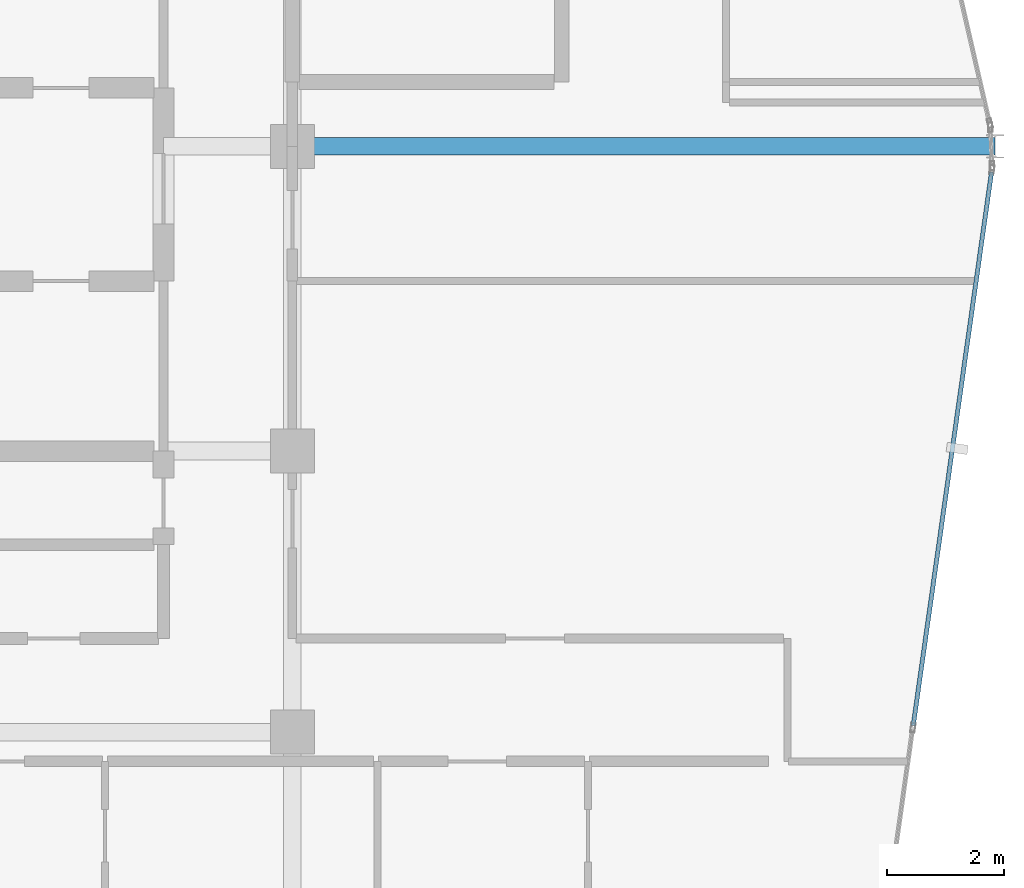
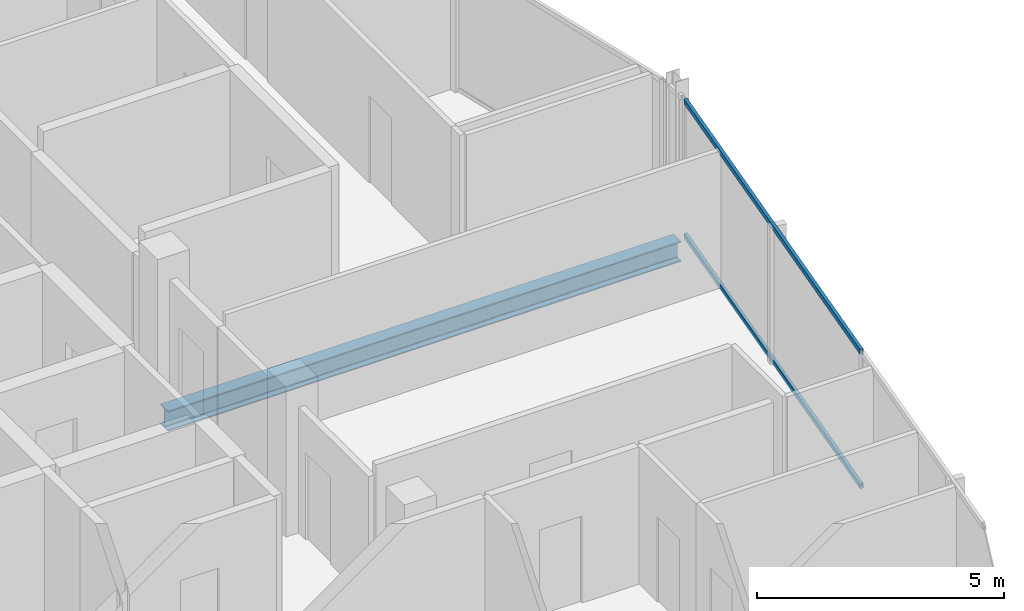
# One storey, part 13 of 28: 2 members, 1 beam, 1 element without a shape of its own.
"""IFC4 building model written with IfcOpenShell, lengths in metres."""

from ifc_helpers import new_model, si_unit, direction, frame, origin, origin_2d, place, context, subcontext, project, spatial, hollow_rectangle, i_section, extrude, material, layer, layer_set, material_profile, profile_set, type_object, element, aggregate, save


model = new_model("IFC4")

# Units and contexts
model_context = context("Model", 3, precision=1e-05, world=origin(), true_north=direction((0.0, 1.0)))
body_context = subcontext(model_context, "Body", "Model", "MODEL_VIEW")
ifc_project = project(units=[si_unit("LENGTHUNIT", "METRE"), si_unit("AREAUNIT", "SQUARE_METRE"), si_unit("VOLUMEUNIT", "CUBIC_METRE"), si_unit("PLANEANGLEUNIT", "RADIAN"), si_unit("MASSUNIT", "GRAM", prefix="KILO")], contexts=[model_context])

# Site, building, storey
site_placement = place(None, origin())
site = spatial("IfcSite", under=ifc_project, at=site_placement, CompositionType="ELEMENT")
building_placement = place(site_placement, origin())
building = spatial("IfcBuilding", under=site, at=building_placement, Name="Keshet Zoharim Tower", CompositionType="ELEMENT")
storey_placement = place(building_placement, frame((0.0, 0.0, 265.800048828125)))
storey = spatial("IfcBuildingStorey", under=building, at=storey_placement, Name="L66", CompositionType="ELEMENT", Elevation=265.800048828125)

# Beam
ifc_material_1 = material(Name="Steel S355", Category="steel")
ifc_material_profile_1 = material_profile(ifc_material_1, i_section(OverallWidth=0.300048828125, OverallDepth=0.5, WebThickness=0.014404296875, FlangeThickness=0.028076171875, FilletRadius=0.027099609375, at=origin_2d()), Name="HEB500")
ifc_profile_set_1 = profile_set([ifc_material_profile_1], Name="Steel S355")
beam_type = type_object("IfcBeamType", Name="BM-MED-HB500", PredefinedType="BEAM", material=ifc_profile_set_1)
beam_placement = place(storey_placement, frame((33.0, 27.89990234375, -0.56005859375), z_axis=(1.0, 0.0, 0.0), x_axis=(0.0, 1.0, 0.0)))
element("IfcBeam", 1, at=beam_placement, inside=storey, type_object=beam_type, Name="L66 Primary Girder X-007", PredefinedType="BEAM", context=body_context, shape_type="SweptSolid", body=[
    extrude(i_section(OverallWidth=0.300048828125, OverallDepth=0.5, WebThickness=0.014404296875, FlangeThickness=0.028076171875, FilletRadius=0.027099609375, at=origin_2d()), origin(), (0.0, 0.0, 1.0), 12.0),
])

# Curtain wall, members
ifc_material_2 = material(Name="Aluminium 6063-T6", Category="aluminium")
ifc_layer = layer(ifc_material_2, 0.260009765625)
ifc_layer_set = layer_set([ifc_layer], Name="Aluminium 6063-T6")
curtain_wall_type = type_object("IfcCurtainWallType", Name="CW-SYS-06", PredefinedType="NOTDEFINED", material=ifc_layer_set)
curtain_wall_placement = place(storey_placement, origin())
curtain_wall = element("IfcCurtainWall", 2, at=curtain_wall_placement, inside=storey, type_object=curtain_wall_type, Name="L66 Unitised Curtain Wall 11", PredefinedType="NOTDEFINED")
ifc_material_profile_2 = material_profile(ifc_material_2, hollow_rectangle(XDim=0.074951171875, YDim=0.1201171875, WallThickness=0.00390625, at=origin_2d()), Name="TRN-75x120")
ifc_profile_set_2 = profile_set([ifc_material_profile_2], Name="Aluminium 6063-T6")
member_type = type_object("IfcMemberType", Name="CWT-T12", PredefinedType="USERDEFINED", material=ifc_profile_set_2)
member_1_placement = place(storey_placement, frame((44.938232421875, 27.462646484375, 0.034912109375), z_axis=(-0.140150169695, -0.990130259074, 0.0), x_axis=(0.990130259074, -0.140150169695, 0.0)))
member_1 = element("IfcMember", 3, at=member_1_placement, type_object=member_type, Name="CW-06 transom 1.1", ObjectType="TRANSOM", PredefinedType="USERDEFINED", context=body_context, shape_type="SweptSolid", body=[
    extrude(hollow_rectangle(XDim=0.074951171875, YDim=0.1201171875, WallThickness=0.00390625, at=origin_2d()), origin(), (0.0, 0.0, 1.0), 9.546142578125),
])
member_2_placement = place(storey_placement, frame((44.938232421875, 27.462646484375, 3.35498046875), z_axis=(-0.140150169695, -0.990130259074, 0.0), x_axis=(0.990130259074, -0.140150169695, 0.0)))
member_2 = element("IfcMember", 4, at=member_2_placement, type_object=member_type, Name="CW-06 transom 1.2", ObjectType="TRANSOM", PredefinedType="USERDEFINED", context=body_context, shape_type="SweptSolid", body=[
    extrude(hollow_rectangle(XDim=0.074951171875, YDim=0.1201171875, WallThickness=0.00390625, at=origin_2d()), origin(), (0.0, 0.0, 1.0), 9.546142578125),
])
aggregate(curtain_wall, [member_1, member_2])

save(model, "model.ifc")
